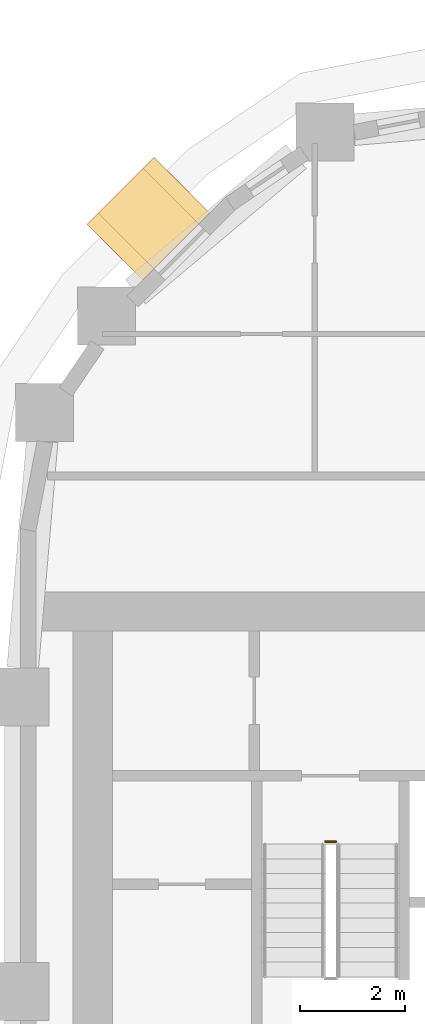
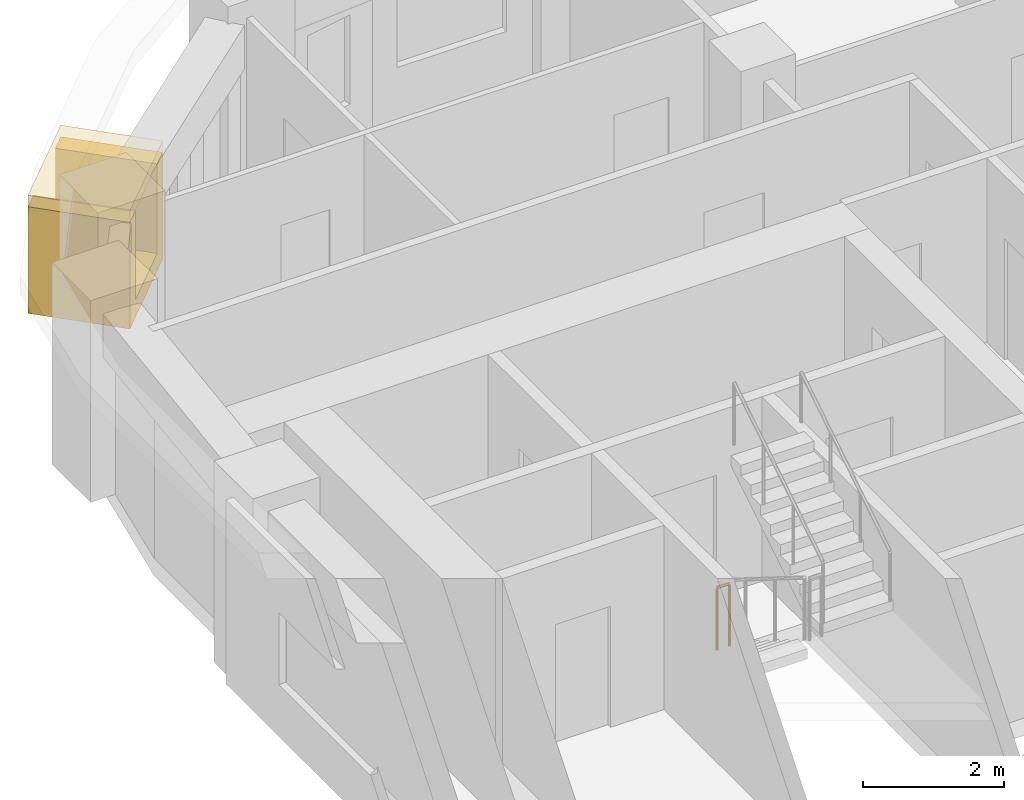
# One storey, part 20 of 22: 2 coverings, 1 railing.
"""IFC4 building model written with IfcOpenShell, lengths in metres."""

from ifc_helpers import new_model, si_unit, direction, frame, origin, origin_2d, place, context, subcontext, project, spatial, polyline, rectangle, circle, outline, extrude, material, layer, layer_set, type_object, element, save


model = new_model("IFC4")

# Units and contexts
model_context = context("Model", 3, precision=1e-05, world=origin(), true_north=direction((0.0, 1.0)))
body_context = subcontext(model_context, "Body", "Model", "MODEL_VIEW")
ifc_project = project(units=[si_unit("LENGTHUNIT", "METRE"), si_unit("AREAUNIT", "SQUARE_METRE"), si_unit("VOLUMEUNIT", "CUBIC_METRE"), si_unit("PLANEANGLEUNIT", "RADIAN"), si_unit("MASSUNIT", "GRAM", prefix="KILO")], contexts=[model_context])

# Site, building, storey
site_placement = place(None, origin())
site = spatial("IfcSite", under=ifc_project, at=site_placement, CompositionType="ELEMENT")
building_placement = place(site_placement, origin())
building = spatial("IfcBuilding", under=site, at=building_placement, Name="Kiln Ring Residences", CompositionType="ELEMENT")
storey_placement = place(building_placement, frame((0.0, 0.0, 139.60009765625)))
storey = spatial("IfcBuildingStorey", under=building, at=storey_placement, Name="L35", CompositionType="ELEMENT", Elevation=139.60009765625)

# Railing
ifc_material_1 = material(Name="Stainless steel", Category="steel")
railing_type = type_object("IfcRailingType", Name="CORE-STAIR-GUARD", PredefinedType="GUARDRAIL", material=ifc_material_1)
railing_placement = place(storey_placement, frame((-22.199951171875, 8.449951171875, 0.0)))
element("IfcRailing", 1, at=railing_placement, inside=storey, type_object=railing_type, Name="L35 W-STN stair guard 4", PredefinedType="GUARDRAIL", context=body_context, shape_type="SweptSolid", body=[
    extrude(circle(Radius=0.02392578125, at=origin_2d()), frame((0.0, 0.0, 1.076171875), z_axis=(1.0, 0.0, 0.0), x_axis=(0.0, 1.0, 0.0)), (0.0, 0.0, 1.0), 0.199951171875),
    extrude(circle(Radius=0.02099609375, at=origin_2d()), origin(), (0.0, 0.0, 1.0), 1.052001953125),
    extrude(circle(Radius=0.02099609375, at=origin_2d()), frame((0.199951171875, 0.0, 0.0)), (0.0, 0.0, 1.0), 1.052001953125),
])

# Coverings
ifc_material_2 = material(Name="Brick masonry, dark clay brick", Category="masonry")
ifc_layer_1 = layer(ifc_material_2, 0.300048828125)
ifc_layer_set_1 = layer_set([ifc_layer_1], Name="FRAME CHEEKS AND SILL 1500")
covering_type_1 = type_object("IfcCoveringType", Name="FRAME CHEEKS AND SILL 1500", PredefinedType="CLADDING", material=ifc_layer_set_1)
covering_1_placement = place(storey_placement, frame((-24.927978515625, 20.932861328125, 0.2998046875), z_axis=(0.0, 0.0, 1.0), x_axis=(-0.707038962956, -0.707174592913, 0.0)))
element("IfcCovering", 2, at=covering_1_placement, inside=storey, type_object=covering_type_1, Name="FRAME L35", PredefinedType="CLADDING", context=body_context, shape_type="SweptSolid", body=[
    extrude(outline(polyline([(0.0, 0.0), (1.800048828125, 0.0), (1.800048828125, 1.85009765625), (1.5009765625, 1.85009765625), (1.5, 0.300048828125), (0.300048828125, 0.300048828125), (0.299072265625, 1.85009765625), (0.0, 1.85009765625), (0.0, 0.0)])), frame((0.0, 0.75, 0.0), z_axis=(0.0, -1.0, 0.0), x_axis=(1.0, 0.0, 0.0)), (0.0, 0.0, 1.0), 1.5),
])
ifc_material_3 = material(Name="Brick masonry, dark clay brick", Category="masonry")
ifc_layer_2 = layer(ifc_material_3, 0.199951171875)
ifc_layer_set_2 = layer_set([ifc_layer_2], Name="FRAME HEAD 1500")
covering_type_2 = type_object("IfcCoveringType", Name="FRAME HEAD 1500", PredefinedType="CLADDING", material=ifc_layer_set_2)
covering_2_placement = place(storey_placement, frame((-25.564208984375, 20.29638671875, 2.14990234375), z_axis=(0.0, 0.0, 1.0), x_axis=(-0.707106781187, -0.707106781187, 0.0)))
element("IfcCovering", 3, at=covering_2_placement, inside=storey, type_object=covering_type_2, Name="FRAME HEAD L35", PredefinedType="CLADDING", context=body_context, shape_type="SweptSolid", body=[
    extrude(rectangle(XDim=1.800048828125, YDim=1.5, at=origin_2d()), origin(), (0.0, 0.0, 1.0), 0.199951171875),
])

save(model, "model.ifc")
